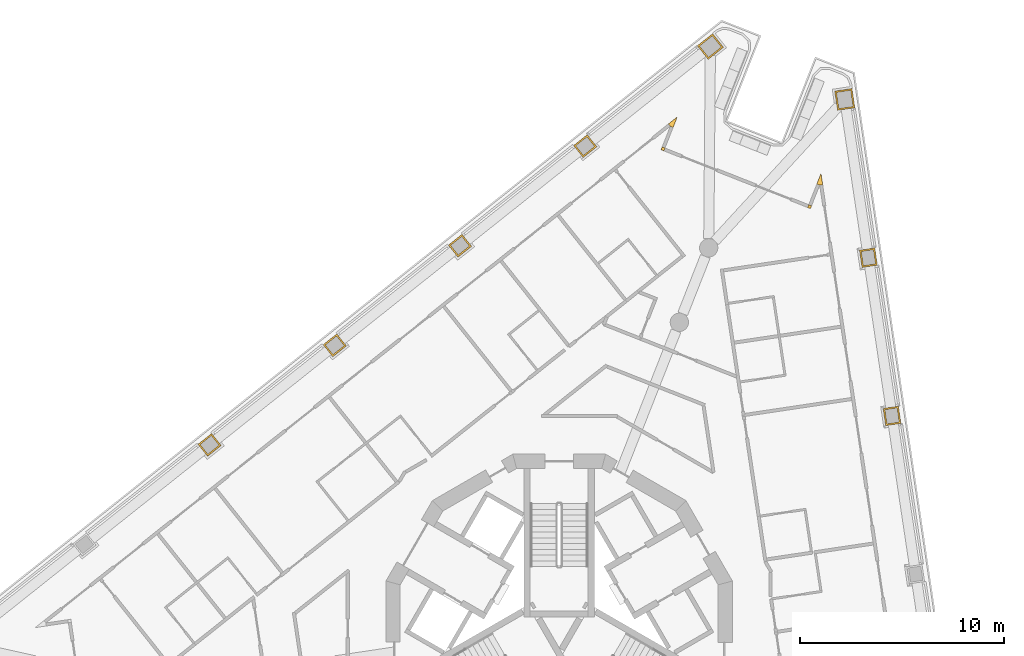
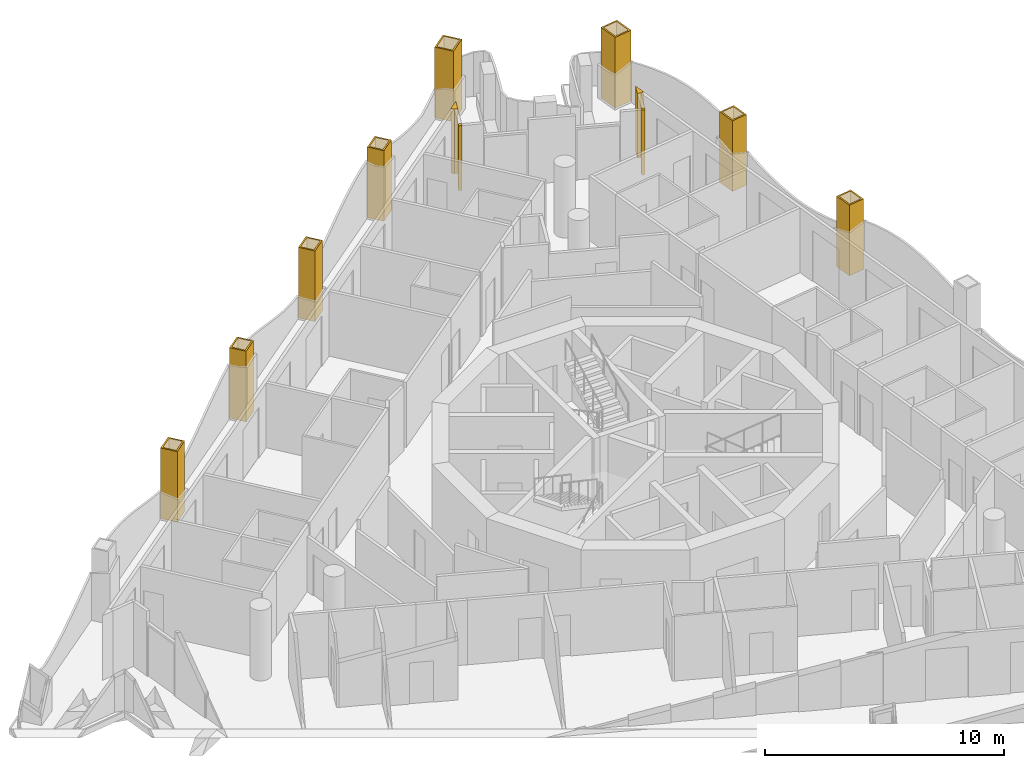
# One storey, part 15 of 16: 12 coverings.
"""IFC4 building model written with IfcOpenShell, lengths in metres."""

from ifc_helpers import new_model, si_unit, direction, frame, origin, place, context, subcontext, project, spatial, polyline, outline, extrude, material, layer, layer_set, type_object, element, save


model = new_model("IFC4")

# Units and contexts
model_context = context("Model", 3, precision=1e-05, world=origin(), true_north=direction((0.0, 1.0)))
body_context = subcontext(model_context, "Body", "Model", "MODEL_VIEW")
ifc_project = project(units=[si_unit("LENGTHUNIT", "METRE"), si_unit("AREAUNIT", "SQUARE_METRE"), si_unit("VOLUMEUNIT", "CUBIC_METRE"), si_unit("PLANEANGLEUNIT", "RADIAN"), si_unit("MASSUNIT", "GRAM", prefix="KILO")], contexts=[model_context])

# Site, building, storey
site_placement = place(None, origin())
site = spatial("IfcSite", under=ifc_project, at=site_placement, CompositionType="ELEMENT")
building_placement = place(site_placement, origin())
building = spatial("IfcBuilding", under=site, at=building_placement, Name="Trine Commons Tower", CompositionType="ELEMENT")
storey_placement = place(building_placement, frame((0.0, 0.0, 223.199951171875)))
storey = spatial("IfcBuildingStorey", under=building, at=storey_placement, Name="L58", CompositionType="ELEMENT", Elevation=223.199951171875)

# Coverings
ifc_material_1 = material(Name="Aluminium-framed insulated wall panel", Category="aluminium")
ifc_layer_1 = layer(ifc_material_1, 0.14990234375)
ifc_layer_set_1 = layer_set([ifc_layer_1], Name="Aluminium-framed insulated wall panel")
covering_type_1 = type_object("IfcCoveringType", Name="Glazing corner post, aluminium", PredefinedType="CLADDING", material=ifc_layer_set_1)
covering_1_placement = place(storey_placement, origin())
element("IfcCovering", 1, at=covering_1_placement, inside=storey, type_object=covering_type_1, Name="Glazing corner post 6-02", PredefinedType="CLADDING", context=body_context, shape_type="SweptSolid", body=[
    extrude(outline(polyline([(85.451416015625, 87.089599609375), (85.451416015625, 87.089599609375), (85.591064453125, 87.03466796875), (85.796142578125, 87.5556640625), (85.358154296875, 87.20703125), (85.451416015625, 87.089599609375)])), origin(), (0.0, 0.0, 1.0), 3.300048828125),
])
covering_2_placement = place(storey_placement, origin())
element("IfcCovering", 2, at=covering_2_placement, inside=storey, type_object=covering_type_1, Name="Glazing corner post 6-03", PredefinedType="CLADDING", context=body_context, shape_type="SweptSolid", body=[
    extrude(outline(polyline([(85.13818359375, 85.885009765625), (85.193115234375, 86.0244140625), (85.0537109375, 86.07958984375), (84.99853515625, 85.93994140625), (85.13818359375, 85.885009765625)])), origin(), (0.0, 0.0, 1.0), 3.300048828125),
])
covering_3_placement = place(storey_placement, origin())
element("IfcCovering", 3, at=covering_3_placement, inside=storey, type_object=covering_type_1, Name="Glazing corner post 6-04", PredefinedType="CLADDING", context=body_context, shape_type="SweptSolid", body=[
    extrude(outline(polyline([(92.190673828125, 83.10693359375), (92.330322265625, 83.052001953125), (92.38525390625, 83.19140625), (92.24560546875, 83.246337890625), (92.190673828125, 83.10693359375)])), origin(), (0.0, 0.0, 1.0), 3.300048828125),
])
covering_4_placement = place(storey_placement, origin())
element("IfcCovering", 4, at=covering_4_placement, inside=storey, type_object=covering_type_1, Name="Glazing corner post 6-05", PredefinedType="CLADDING", context=body_context, shape_type="SweptSolid", body=[
    extrude(outline(polyline([(92.6435546875, 84.256591796875), (92.783203125, 84.20166015625), (92.931396484375, 84.223876953125), (92.848876953125, 84.777587890625), (92.6435546875, 84.256591796875)])), origin(), (0.0, 0.0, 1.0), 3.300048828125),
])
ifc_material_2 = material(Name="Limestone, honed", Category="masonry")
ifc_layer_2 = layer(ifc_material_2, 0.074951171875)
ifc_layer_set_2 = layer_set([ifc_layer_2], Name="Limestone, honed")
covering_type_2 = type_object("IfcCoveringType", Name="Limestone column cladding 75", PredefinedType="CLADDING", material=ifc_layer_set_2)
covering_5_placement = place(storey_placement, origin())
element("IfcCovering", 5, at=covering_5_placement, inside=storey, type_object=covering_type_2, Name="Limestone pier cladding 6-10", PredefinedType="CLADDING", context=body_context, shape_type="SweptSolid", body=[
    extrude(outline(polyline([(63.40966796875, 71.4287109375), (62.942626953125, 72.015625), (62.27734375, 71.486572265625), (62.744384765625, 70.899658203125), (63.40966796875, 71.4287109375)]), holes=[polyline([(63.30419921875, 71.440673828125), (62.9306640625, 71.910400390625), (62.3828125, 71.474609375), (62.75634765625, 71.0048828125), (63.30419921875, 71.440673828125)])]), origin(), (0.0, 0.0, 1.0), 3.60009765625),
])
covering_6_placement = place(storey_placement, origin())
element("IfcCovering", 6, at=covering_6_placement, inside=storey, type_object=covering_type_2, Name="Limestone pier cladding 6-11", PredefinedType="CLADDING", context=body_context, shape_type="SweptSolid", body=[
    extrude(outline(polyline([(69.553466796875, 76.31591796875), (69.086669921875, 76.902587890625), (68.42138671875, 76.37353515625), (68.88818359375, 75.78662109375), (69.553466796875, 76.31591796875)]), holes=[polyline([(69.447998046875, 76.327880859375), (69.07470703125, 76.79736328125), (68.526611328125, 76.361572265625), (68.900146484375, 75.89208984375), (69.447998046875, 76.327880859375)])]), origin(), (0.0, 0.0, 1.0), 3.60009765625),
])
covering_7_placement = place(storey_placement, origin())
element("IfcCovering", 7, at=covering_7_placement, inside=storey, type_object=covering_type_2, Name="Limestone pier cladding 6-12", PredefinedType="CLADDING", context=body_context, shape_type="SweptSolid", body=[
    extrude(outline(polyline([(75.697509765625, 81.202880859375), (75.230712890625, 81.789794921875), (74.565185546875, 81.2607421875), (75.0322265625, 80.673828125), (75.697509765625, 81.202880859375)]), holes=[polyline([(75.592041015625, 81.21484375), (75.218505859375, 81.6845703125), (74.670654296875, 81.248779296875), (75.044189453125, 80.779052734375), (75.592041015625, 81.21484375)])]), origin(), (0.0, 0.0, 1.0), 3.60009765625),
])
covering_8_placement = place(storey_placement, origin())
element("IfcCovering", 8, at=covering_8_placement, inside=storey, type_object=covering_type_2, Name="Limestone pier cladding 6-13", PredefinedType="CLADDING", context=body_context, shape_type="SweptSolid", body=[
    extrude(outline(polyline([(81.84130859375, 86.090087890625), (81.37451171875, 86.677001953125), (80.709228515625, 86.147705078125), (81.176025390625, 85.560791015625), (81.84130859375, 86.090087890625)]), holes=[polyline([(81.736083984375, 86.10205078125), (81.362548828125, 86.571533203125), (80.814697265625, 86.1357421875), (81.18798828125, 85.666259765625), (81.736083984375, 86.10205078125)])]), origin(), (0.0, 0.0, 1.0), 3.60009765625),
])
covering_9_placement = place(storey_placement, origin())
element("IfcCovering", 9, at=covering_9_placement, inside=storey, type_object=covering_type_2, Name="Limestone pier cladding 6-14", PredefinedType="CLADDING", context=body_context, shape_type="SweptSolid", body=[
    extrude(outline(polyline([(88.0556640625, 90.968994140625), (87.526611328125, 91.63427734375), (86.782958984375, 91.04296875), (87.31201171875, 90.377685546875), (88.0556640625, 90.968994140625)]), holes=[polyline([(87.9501953125, 90.981201171875), (87.514404296875, 91.52880859375), (86.888427734375, 91.031005859375), (87.32421875, 90.483154296875), (87.9501953125, 90.981201171875)])]), origin(), (0.0, 0.0, 1.0), 3.60009765625),
])
covering_10_placement = place(storey_placement, origin())
element("IfcCovering", 10, at=covering_10_placement, inside=storey, type_object=covering_type_2, Name="Limestone pier cladding 6-15", PredefinedType="CLADDING", context=body_context, shape_type="SweptSolid", body=[
    extrude(outline(polyline([(94.364990234375, 88.9404296875), (93.5244140625, 88.81494140625), (93.664794921875, 87.875244140625), (94.505615234375, 88.0009765625), (94.364990234375, 88.9404296875)]), holes=[polyline([(94.302001953125, 88.855224609375), (93.609619140625, 88.751708984375), (93.72802734375, 87.960693359375), (94.42041015625, 88.06396484375), (94.302001953125, 88.855224609375)])]), origin(), (0.0, 0.0, 1.0), 3.60009765625),
])
covering_11_placement = place(storey_placement, origin())
element("IfcCovering", 11, at=covering_11_placement, inside=storey, type_object=covering_type_2, Name="Limestone pier cladding 6-16", PredefinedType="CLADDING", context=body_context, shape_type="SweptSolid", body=[
    extrude(outline(polyline([(95.4833984375, 81.119384765625), (94.74169921875, 81.00830078125), (94.8671875, 80.167724609375), (95.609130859375, 80.278564453125), (95.4833984375, 81.119384765625)]), holes=[polyline([(95.42041015625, 81.033935546875), (94.826904296875, 80.9453125), (94.930419921875, 80.2529296875), (95.523681640625, 80.341796875), (95.42041015625, 81.033935546875)])]), origin(), (0.0, 0.0, 1.0), 3.60009765625),
])
covering_12_placement = place(storey_placement, origin())
element("IfcCovering", 12, at=covering_12_placement, inside=storey, type_object=covering_type_2, Name="Limestone pier cladding 6-17", PredefinedType="CLADDING", context=body_context, shape_type="SweptSolid", body=[
    extrude(outline(polyline([(96.643798828125, 73.35498046875), (95.902099609375, 73.244140625), (96.027587890625, 72.4033203125), (96.769287109375, 72.514404296875), (96.643798828125, 73.35498046875)]), holes=[polyline([(96.580810546875, 73.269775390625), (95.9873046875, 73.180908203125), (96.0908203125, 72.48876953125), (96.68408203125, 72.577392578125), (96.580810546875, 73.269775390625)])]), origin(), (0.0, 0.0, 1.0), 3.60009765625),
])

save(model, "model.ifc")
